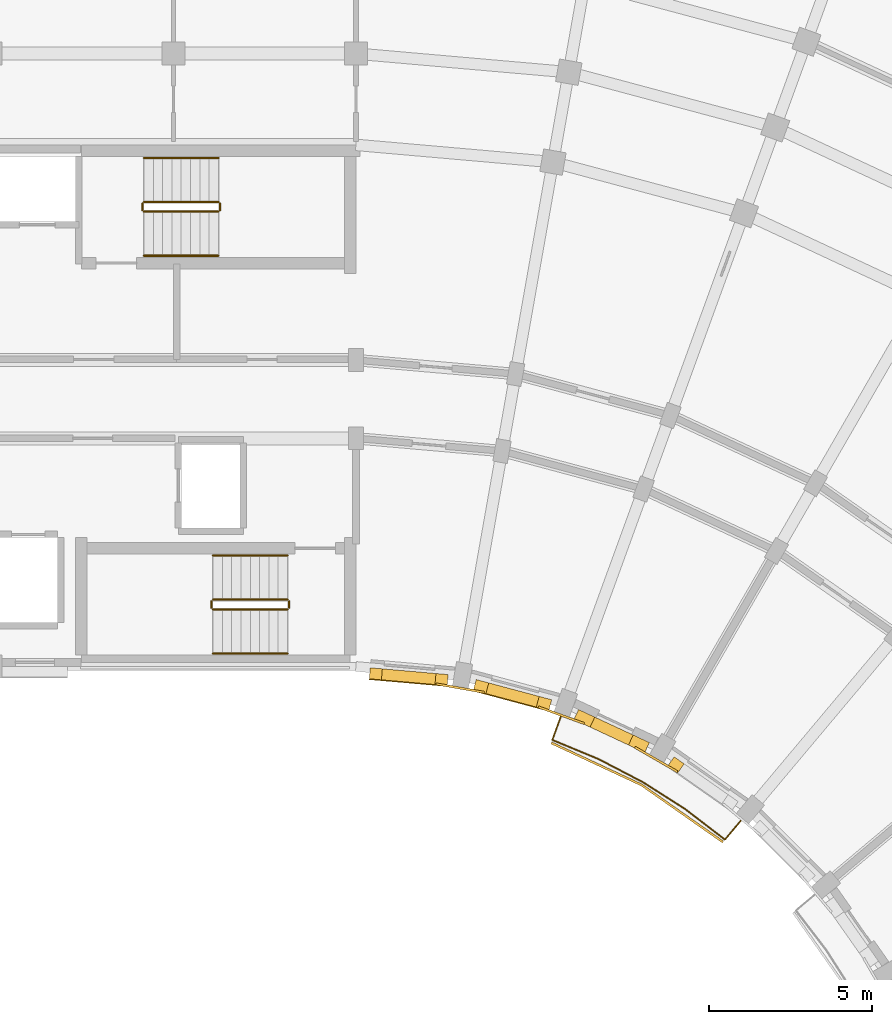
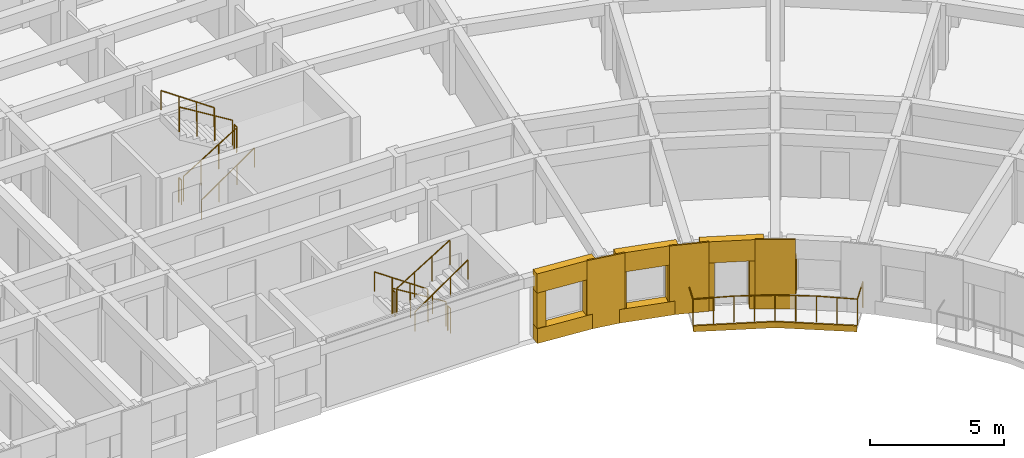
# One storey, part 52 of 57: 16 coverings, 13 railings.
"""IFC4 building model written with IfcOpenShell, lengths in metres."""

import ifcopenshell
import ifcopenshell.guid

model = None  # the IFC model being written
_history = None  # IfcOwnerHistory: only IFC2X3 demands one
_inside = {}  # id of a spatial element -> (the spatial element, [elements in it])
_under = {}  # id of a project, library or spatial element -> (it, [spatial elements below it])
_declared = {}  # id of a project -> (the project, [libraries it declares])
_typed = {}  # id of a type object -> (the type object, [elements of that type])
_made_of = {}  # id of a material, layer set ... -> (it, [elements and type objects made of it])


def new_model(schema):
    """Start an empty IFC model of exactly this schema.

    Asked for "IFC4X3", IfcOpenShell would pick the latest addendum, in which some entities
    have other attributes; the version numbers below select the first issue.
    IFC2X3 requires an IfcOwnerHistory on every rooted entity: one is made here for all.
    """
    global model, _history
    if schema == "IFC4X3":
        model = ifcopenshell.file(schema_version=(4, 3, 0, 0))
    else:
        model = ifcopenshell.file(schema=schema)
    _inside.clear()
    _under.clear()
    _declared.clear()
    _typed.clear()
    _made_of.clear()
    _history = None
    if model.schema == "IFC2X3":
        org = make("IfcOrganization", Name="unknown")
        user = make(
            "IfcPersonAndOrganization",
            ThePerson=make("IfcPerson", FamilyName="unknown"),
            TheOrganization=org,
        )
        app = make(
            "IfcApplication",
            ApplicationDeveloper=org,
            Version="unknown",
            ApplicationFullName="unknown",
            ApplicationIdentifier="unknown",
        )
        _history = make(
            "IfcOwnerHistory",
            OwningUser=user,
            OwningApplication=app,
            ChangeAction="ADDED",
            CreationDate=0,
        )
    return model


def make(cls, **values):
    """One entity of the class cls with the attributes given. An attribute that is None is left unset."""
    return model.create_entity(
        cls, **{name: value for name, value in values.items() if value is not None}
    )


def rooted(cls, **values):
    """An entity with a GlobalId (a new one), such as an element, a storey or a relation."""
    return make(cls, GlobalId=ifcopenshell.guid.new(), OwnerHistory=_history, **values)


def si_unit(unit_type, name, prefix=None):
    """IfcSIUnit, for example si_unit("LENGTHUNIT", "METRE", prefix="MILLI")."""
    return make("IfcSIUnit", UnitType=unit_type, Prefix=prefix, Name=name)


def assignment(units):
    """IfcUnitAssignment: the units of a project."""
    return None if units is None else make("IfcUnitAssignment", Units=units)


def point(xyz):
    """IfcCartesianPoint."""
    return None if xyz is None else make("IfcCartesianPoint", Coordinates=xyz)


def direction(xyz):
    """IfcDirection."""
    return None if xyz is None else make("IfcDirection", DirectionRatios=xyz)


def frame(location, z_axis=None, x_axis=None):
    """IfcAxis2Placement3D, a coordinate frame: its origin and axes. An axis left out is left unset."""
    return make(
        "IfcAxis2Placement3D",
        Location=point(location),
        Axis=direction(z_axis),
        RefDirection=direction(x_axis),
    )


def frame_2d(location, x_axis=None):
    """IfcAxis2Placement2D, a coordinate frame in the plane: its origin and x axis."""
    return make(
        "IfcAxis2Placement2D", Location=point(location), RefDirection=direction(x_axis)
    )


def origin():
    """The frame at (0, 0, 0) with its axes left unset."""
    return frame((0.0, 0.0, 0.0))


def origin_2d():
    """The frame at (0, 0) in the plane with its x axis left unset."""
    return frame_2d((0.0, 0.0))


def place(relative_to, where):
    """IfcLocalPlacement: puts the frame where relative to a parent placement (None: the world)."""
    return make(
        "IfcLocalPlacement", PlacementRelTo=relative_to, RelativePlacement=where
    )


def context(
    kind, dimensions, precision=None, world=None, true_north=None, identifier=None
):
    """IfcGeometricRepresentationContext, for example the 3D "Model" context."""
    return make(
        "IfcGeometricRepresentationContext",
        ContextIdentifier=identifier,
        ContextType=kind,
        CoordinateSpaceDimension=dimensions,
        Precision=precision,
        WorldCoordinateSystem=world,
        TrueNorth=true_north,
    )


def subcontext(parent, identifier, kind, view, scale=None):
    """IfcGeometricRepresentationSubContext, for example "Body" below "Model"."""
    return make(
        "IfcGeometricRepresentationSubContext",
        ContextIdentifier=identifier,
        ContextType=kind,
        ParentContext=parent,
        TargetScale=scale,
        TargetView=view,
    )


def project(units=None, contexts=None):
    """IfcProject with its units and contexts."""
    return rooted(
        "IfcProject",
        Name="project",
        RepresentationContexts=contexts,
        UnitsInContext=assignment(units),
    )


def spatial(cls, under=None, at=None, **own):
    """A site, building, storey or space (cls), placed at a placement, below another one or the project."""
    s = rooted(cls, ObjectPlacement=at, **own)
    if under is not None:
        _under.setdefault(under.id(), (under, []))[1].append(s)
    return s


def polyline(points):
    """IfcPolyline through the points."""
    return make("IfcPolyline", Points=[point(p) for p in points])


def profile(cls, at=None, kind="AREA", **sizes):
    """A parametric profile (cls). Its sizes go by their IFC names, for example OverallWidth=200.0."""
    return make(cls, ProfileType=kind, Position=at, **sizes)


def circle(**sizes):
    """IfcCircleProfileDef."""
    return profile("IfcCircleProfileDef", **sizes)


def outline(outer, holes=None, kind="AREA"):
    """IfcArbitraryClosedProfileDef: a profile drawn as a closed curve; with holes, ...WithVoids."""
    if holes is None:
        return make("IfcArbitraryClosedProfileDef", ProfileType=kind, OuterCurve=outer)
    return make(
        "IfcArbitraryProfileDefWithVoids",
        ProfileType=kind,
        OuterCurve=outer,
        InnerCurves=holes,
    )


def extrude(swept, where, along, depth):
    """IfcExtrudedAreaSolid: the profile swept, set in the frame where, extruded along a direction by depth."""
    return make(
        "IfcExtrudedAreaSolid",
        SweptArea=swept,
        Position=where,
        ExtrudedDirection=direction(along),
        Depth=depth,
    )


def shape(context_of_items, identifier, shape_type, items):
    """IfcShapeRepresentation: the items that make up one representation, for example the "Body"."""
    return make(
        "IfcShapeRepresentation",
        ContextOfItems=context_of_items,
        RepresentationIdentifier=identifier,
        RepresentationType=shape_type,
        Items=items,
    )


def material(Name=None, Category=None):
    """IfcMaterial."""
    return make("IfcMaterial", Name=Name, Category=Category)


def layer(
    of_material, thickness, ventilated=None, Name=None, Category=None, Priority=None
):
    """IfcMaterialLayer: one layer of a wall or slab, of a material (None: an air gap)."""
    return make(
        "IfcMaterialLayer",
        Material=of_material,
        LayerThickness=thickness,
        IsVentilated=ventilated,
        Name=Name,
        Category=Category,
        Priority=Priority,
    )


def layer_set(layers, Name=None):
    """IfcMaterialLayerSet."""
    return make("IfcMaterialLayerSet", MaterialLayers=layers, LayerSetName=Name)


def made_of(thing, what):
    """Note that an element or type object is made of a material, layer set ...; save() writes the relation."""
    if what is not None:
        _made_of.setdefault(what.id(), (what, []))[1].append(thing)
    return thing


def type_object(cls, material=None, **own):
    """A type object (cls), such as IfcWallType, which elements share."""
    return made_of(rooted(cls, **own), material)


def element(
    cls,
    number,
    at=None,
    inside=None,
    cuts=None,
    type_object=None,
    material=None,
    context=None,
    identifier="Body",
    shape_type=None,
    held_by="IfcProductDefinitionShape",
    body=None,
    shapes=None,
    **own,
):
    """One element of the class cls, such as IfcWall. Its Tag is "e" and its number.

    at: its placement. inside: the storey or other place that contains it. cuts: it is an
    opening in that element (IfcRelVoidsElement). A single representation is given by context,
    identifier, shape_type and body (its items); several are given by shapes. held_by: the class
    of the entity that holds the representations. save() writes the other relations.
    """
    e = rooted(cls, Tag="e%d" % number, ObjectPlacement=at, **own)
    if body is not None:
        shapes = [shape(context, identifier, shape_type, body)]
    if shapes is not None:
        e.Representation = make(held_by, Representations=shapes)
    if inside is not None:
        _inside.setdefault(inside.id(), (inside, []))[1].append(e)
    if cuts is not None:
        rooted(
            "IfcRelVoidsElement", RelatingBuildingElement=cuts, RelatedOpeningElement=e
        )
    if type_object is not None:
        _typed.setdefault(type_object.id(), (type_object, []))[1].append(e)
    return made_of(e, material)


def aggregate(whole, parts):
    """IfcRelAggregates: a whole, such as a stair, and the parts it consists of."""
    return rooted("IfcRelAggregates", RelatingObject=whole, RelatedObjects=parts)


def save(model, path):
    """Write the relations noted so far, then the file.

    IfcRelAggregates (storeys below a building ...), IfcRelContainedInSpatialStructure (elements
    in a storey), IfcRelDefinesByType, IfcRelAssociatesMaterial and IfcRelDeclares: one each for
    every whole, place, type object, material and project.
    """
    for whole, parts in _under.values():
        aggregate(whole, parts)
    for where, things in _inside.values():
        rooted(
            "IfcRelContainedInSpatialStructure",
            RelatedElements=things,
            RelatingStructure=where,
        )
    for kind, things in _typed.values():
        rooted("IfcRelDefinesByType", RelatedObjects=things, RelatingType=kind)
    for what, things in _made_of.values():
        rooted("IfcRelAssociatesMaterial", RelatedObjects=things, RelatingMaterial=what)
    for by, libraries in _declared.values():
        rooted("IfcRelDeclares", RelatingContext=by, RelatedDefinitions=libraries)
    model.write(path)


model = new_model("IFC4")

# Units and contexts
model_context = context("Model", 3, precision=1e-05, world=origin(), true_north=direction((0.0, 1.0)))
body_context = subcontext(model_context, "Body", "Model", "MODEL_VIEW")
ifc_project = project(units=[si_unit("LENGTHUNIT", "METRE"), si_unit("AREAUNIT", "SQUARE_METRE"), si_unit("VOLUMEUNIT", "CUBIC_METRE"), si_unit("PLANEANGLEUNIT", "RADIAN"), si_unit("MASSUNIT", "GRAM", prefix="KILO")], contexts=[model_context])

# Site, building, storey
site_placement = place(None, origin())
site = spatial("IfcSite", under=ifc_project, at=site_placement, CompositionType="ELEMENT")
building_placement = place(site_placement, origin())
building = spatial("IfcBuilding", under=site, at=building_placement, Name="Kiranvali Square Residences", CompositionType="ELEMENT")
storey_placement = place(building_placement, frame((0.0, 0.0, 21.300048828125)))
storey = spatial("IfcBuildingStorey", under=building, at=storey_placement, Name="L06", CompositionType="ELEMENT", Elevation=21.300048828125)

# Coverings
ifc_material_1 = material(Name="Carved Porbandar limestone classical entablature and cornice", Category="masonry")
ifc_layer_1 = layer(ifc_material_1, 0.06201171875)
ifc_layer_set_1 = layer_set([ifc_layer_1], Name="Carved Porbandar limestone classical entablature and cornice")
covering_type_1 = type_object("IfcCoveringType", Name="COV-CLAD-GBAL", PredefinedType="CLADDING", material=ifc_layer_set_1)
covering_1_placement = place(storey_placement, frame((0.0, 0.0, -0.219970703125)))
element("IfcCovering", 1, at=covering_1_placement, inside=storey, type_object=covering_type_1, Name="Block B L06 garden balcony limestone fascia 1", PredefinedType="CLADDING", context=body_context, shape_type="SweptSolid", body=[
    extrude(outline(polyline([(125.778564453125, 104.225830078125), (128.5400390625, 102.938232421875), (131.035888671875, 101.1904296875), (131.07958984375, 101.242431640625), (128.573974609375, 102.9970703125), (125.8017578125, 104.289794921875), (125.778564453125, 104.225830078125)])), origin(), (0.0, 0.0, 1.0), 0.27001953125),
])
ifc_material_2 = material(Name="Honed Porbandar limestone ashlar facade cladding", Category="masonry")
ifc_layer_2 = layer(ifc_material_2, 0.3798828125)
ifc_layer_set_2 = layer_set([ifc_layer_2], Name="Honed Porbandar limestone ashlar facade cladding")
covering_type_2 = type_object("IfcCoveringType", Name="COV-CLAD-JAMB", PredefinedType="CLADDING", material=ifc_layer_set_2)
covering_2_placement = place(storey_placement, frame((0.0, 0.0, 0.671875)))
element("IfcCovering", 2, at=covering_2_placement, inside=storey, type_object=covering_type_2, Name="L06 deep limestone window jamb reveal B-L06-GDN-00.L", PredefinedType="CLADDING", context=body_context, shape_type="SweptSolid", body=[
    extrude(outline(polyline([(120.208740234375, 106.222900390625), (120.580810546875, 106.1904296875), (120.6103515625, 106.528564453125), (120.23828125, 106.56103515625), (120.208740234375, 106.222900390625)])), origin(), (0.0, 0.0, 1.0), 1.60009765625),
])
covering_3_placement = place(storey_placement, frame((0.0, 0.0, 0.671875)))
element("IfcCovering", 3, at=covering_3_placement, inside=storey, type_object=covering_type_2, Name="L06 deep limestone window jamb reveal B-L06-GDN-00.R", PredefinedType="CLADDING", context=body_context, shape_type="SweptSolid", body=[
    extrude(outline(polyline([(122.224609375, 106.046630859375), (122.5966796875, 106.013916015625), (122.626220703125, 106.352294921875), (122.254150390625, 106.384765625), (122.224609375, 106.046630859375)])), origin(), (0.0, 0.0, 1.0), 1.60009765625),
])
covering_4_placement = place(storey_placement, frame((0.0, 0.0, 0.6220703125)))
element("IfcCovering", 4, at=covering_4_placement, inside=storey, type_object=covering_type_2, Name="L06 deep limestone window jamb reveal B-L06-GDN-01.L", PredefinedType="CLADDING", context=body_context, shape_type="SweptSolid", body=[
    extrude(outline(polyline([(123.401611328125, 105.8720703125), (123.78662109375, 105.76904296875), (123.87451171875, 106.096923828125), (123.489501953125, 106.199951171875), (123.401611328125, 105.8720703125)])), origin(), (0.0, 0.0, 1.0), 1.64990234375),
])
covering_5_placement = place(storey_placement, frame((0.0, 0.0, 0.6220703125)))
element("IfcCovering", 5, at=covering_5_placement, inside=storey, type_object=covering_type_2, Name="L06 deep limestone window jamb reveal B-L06-GDN-01.R", PredefinedType="CLADDING", context=body_context, shape_type="SweptSolid", body=[
    extrude(outline(polyline([(125.33203125, 105.354736328125), (125.717041015625, 105.251708984375), (125.804931640625, 105.57958984375), (125.419921875, 105.682861328125), (125.33203125, 105.354736328125)])), origin(), (0.0, 0.0, 1.0), 1.64990234375),
])
covering_6_placement = place(storey_placement, origin())
element("IfcCovering", 6, at=covering_6_placement, inside=storey, type_object=covering_type_2, Name="L06 deep limestone window jamb reveal B-L06-GDN-02.L", PredefinedType="CLADDING", context=body_context, shape_type="SweptSolid", body=[
    extrude(outline(polyline([(126.485107421875, 104.97216796875), (126.982177734375, 104.740234375), (127.125732421875, 105.048095703125), (126.62841796875, 105.27978515625), (126.485107421875, 104.97216796875)])), origin(), (0.0, 0.0, 1.0), 2.179931640625),
])
covering_7_placement = place(storey_placement, origin())
element("IfcCovering", 7, at=covering_7_placement, inside=storey, type_object=covering_type_2, Name="L06 deep limestone window jamb reveal B-L06-GDN-02.R", PredefinedType="CLADDING", context=body_context, shape_type="SweptSolid", body=[
    extrude(outline(polyline([(128.160400390625, 104.19091796875), (128.657470703125, 103.958984375), (128.801025390625, 104.266845703125), (128.303955078125, 104.49853515625), (128.160400390625, 104.19091796875)])), origin(), (0.0, 0.0, 1.0), 2.179931640625),
])
covering_8_placement = place(storey_placement, frame((0.0, 0.0, 0.671875)))
element("IfcCovering", 8, at=covering_8_placement, inside=storey, type_object=covering_type_2, Name="L06 deep limestone window jamb reveal B-L06-GDN-03.L", PredefinedType="CLADDING", context=body_context, shape_type="SweptSolid", body=[
    extrude(outline(polyline([(129.365478515625, 103.55029296875), (129.67138671875, 103.336181640625), (129.8662109375, 103.6142578125), (129.56005859375, 103.828369140625), (129.365478515625, 103.55029296875)])), origin(), (0.0, 0.0, 1.0), 1.60009765625),
])
ifc_layer_3 = layer(ifc_material_2, 0.050048828125)
ifc_layer_set_3 = layer_set([ifc_layer_3], Name="Honed Porbandar limestone ashlar facade cladding")
covering_type_3 = type_object("IfcCoveringType", Name="COV-CLAD-PIER-IN", PredefinedType="CLADDING", material=ifc_layer_set_3)
covering_9_placement = place(storey_placement, frame((0.0, 0.0, 0.0048828125)))
element("IfcCovering", 9, at=covering_9_placement, inside=storey, type_object=covering_type_3, Name="L06 Classical garden courtyard pilaster CLAD-PRIN-B-L06-A01", PredefinedType="CLADDING", context=body_context, shape_type="SweptSolid", body=[
    extrude(outline(polyline([(122.25341796875, 106.032958984375), (123.730712890625, 105.7724609375), (123.742431640625, 105.8388671875), (122.26513671875, 106.099365234375), (122.25341796875, 106.032958984375)])), origin(), (0.0, 0.0, 1.0), 3.14013671875),
])
covering_10_placement = place(storey_placement, frame((0.0, 0.0, 0.0048828125)))
element("IfcCovering", 10, at=covering_10_placement, inside=storey, type_object=covering_type_3, Name="L06 Classical garden courtyard pilaster CLAD-PRIN-B-L06-A02", PredefinedType="CLADDING", context=body_context, shape_type="SweptSolid", body=[
    extrude(outline(polyline([(125.38232421875, 105.329833984375), (126.791748046875, 104.81689453125), (126.81494140625, 104.88037109375), (125.4052734375, 105.393310546875), (125.38232421875, 105.329833984375)])), origin(), (0.0, 0.0, 1.0), 3.14013671875),
])
covering_11_placement = place(storey_placement, frame((0.0, 0.0, 0.0048828125)))
element("IfcCovering", 11, at=covering_11_placement, inside=storey, type_object=covering_type_3, Name="L06 Classical garden courtyard pilaster CLAD-PRIN-B-L06-A03", PredefinedType="CLADDING", context=body_context, shape_type="SweptSolid", body=[
    extrude(outline(polyline([(128.341552734375, 104.09423828125), (129.640625, 103.34423828125), (129.67431640625, 103.40283203125), (128.375244140625, 104.15283203125), (128.341552734375, 104.09423828125)])), origin(), (0.0, 0.0, 1.0), 3.14013671875),
])
ifc_layer_4 = layer(ifc_material_2, 0.360107421875)
ifc_layer_set_4 = layer_set([ifc_layer_4], Name="Honed Porbandar limestone ashlar facade cladding")
covering_type_4 = type_object("IfcCoveringType", Name="COV-CLAD-WALL", PredefinedType="CLADDING", material=ifc_layer_set_4)
covering_12_placement = place(storey_placement, frame((0.0, 0.0, 2.27197265625)))
element("IfcCovering", 12, at=covering_12_placement, inside=storey, type_object=covering_type_4, Name="L06 light limestone spandrel lintel B-L06-GDN-00", PredefinedType="CLADDING", context=body_context, shape_type="SweptSolid", body=[
    extrude(outline(polyline([(120.208740234375, 106.222900390625), (122.5966796875, 106.013916015625), (122.626220703125, 106.352294921875), (120.23828125, 106.56103515625), (120.208740234375, 106.222900390625)])), origin(), (0.0, 0.0, 1.0), 0.873046875),
])
covering_13_placement = place(storey_placement, frame((0.0, 0.0, 2.27197265625)))
element("IfcCovering", 13, at=covering_13_placement, inside=storey, type_object=covering_type_4, Name="L06 light limestone spandrel lintel B-L06-GDN-01", PredefinedType="CLADDING", context=body_context, shape_type="SweptSolid", body=[
    extrude(outline(polyline([(123.401611328125, 105.8720703125), (125.717041015625, 105.251708984375), (125.804931640625, 105.57958984375), (123.489501953125, 106.199951171875), (123.401611328125, 105.8720703125)])), origin(), (0.0, 0.0, 1.0), 0.873046875),
])
covering_14_placement = place(storey_placement, frame((0.0, 0.0, 2.179931640625)))
element("IfcCovering", 14, at=covering_14_placement, inside=storey, type_object=covering_type_4, Name="L06 light limestone spandrel lintel B-L06-GDN-02", PredefinedType="CLADDING", context=body_context, shape_type="SweptSolid", body=[
    extrude(outline(polyline([(126.485107421875, 104.97216796875), (128.657470703125, 103.958984375), (128.801025390625, 104.266845703125), (126.62841796875, 105.27978515625), (126.485107421875, 104.97216796875)])), origin(), (0.0, 0.0, 1.0), 0.965087890625),
])
ifc_layer_5 = layer(ifc_material_2, 0.2900390625)
ifc_layer_set_5 = layer_set([ifc_layer_5], Name="Honed Porbandar limestone ashlar facade cladding")
covering_type_5 = type_object("IfcCoveringType", Name="COV-CLAD-WALL-IN", PredefinedType="CLADDING", material=ifc_layer_set_5)
covering_15_placement = place(storey_placement, frame((0.0, 0.0, 0.0048828125)))
element("IfcCovering", 15, at=covering_15_placement, inside=storey, type_object=covering_type_5, Name="L06 limestone window sill apron B-L06-GDN-00", PredefinedType="CLADDING", context=body_context, shape_type="SweptSolid", body=[
    extrude(outline(polyline([(120.2060546875, 106.193115234375), (122.593994140625, 105.984130859375), (122.626220703125, 106.352294921875), (120.23828125, 106.56103515625), (120.2060546875, 106.193115234375)])), origin(), (0.0, 0.0, 1.0), 0.6669921875),
])
covering_16_placement = place(storey_placement, frame((0.0, 0.0, 0.0048828125)))
element("IfcCovering", 16, at=covering_16_placement, inside=storey, type_object=covering_type_5, Name="L06 limestone window sill apron B-L06-GDN-01", PredefinedType="CLADDING", context=body_context, shape_type="SweptSolid", body=[
    extrude(outline(polyline([(123.393798828125, 105.843017578125), (125.709228515625, 105.22265625), (125.804931640625, 105.57958984375), (123.489501953125, 106.199951171875), (123.393798828125, 105.843017578125)])), origin(), (0.0, 0.0, 1.0), 0.6171875),
])

# Railings
ifc_material_3 = material(Name="Powder-coated architectural bronze balustrade", Category="steel")
railing_type_1 = type_object("IfcRailingType", Name="RL-BAL-GOLD-1200", PredefinedType="BALUSTRADE", material=ifc_material_3)
railing_1_placement = place(storey_placement, frame((126.21630859375, 105.4287109375, 0.0)))
element("IfcRailing", 17, at=railing_1_placement, inside=storey, type_object=railing_type_1, Name="Block B L06 garden balcony gold balustrade 1", PredefinedType="BALUSTRADE", context=body_context, shape_type="SweptSolid", body=[
    extrude(circle(Radius=0.02392578125, at=origin_2d()), frame((0.0, 0.0, 1.17578125), z_axis=(-0.341964618562, -0.939712828289, 0.0), x_axis=(0.939712828289, -0.341964618562, 0.0)), (0.0, 0.0, 1.0), 1.150146484375),
    extrude(circle(Radius=0.02392578125, at=origin_2d()), frame((-0.393310546875, -1.080810546875, 1.17578125), z_axis=(0.923892883829, -0.382651197843, 0.0), x_axis=(0.382651197843, 0.923892883829, 0.0)), (0.0, 0.0, 1.0), 1.536376953125),
    extrude(circle(Radius=0.02392578125, at=origin_2d()), frame((1.026123046875, -1.668701171875, 1.17578125), z_axis=(0.887029366154, -0.461713009976, 0.0), x_axis=(0.461713009976, 0.887029366154, 0.0)), (0.0, 0.0, 1.0), 1.5361328125),
    extrude(circle(Radius=0.02392578125, at=origin_2d()), frame((2.388671875, -2.3779296875, 1.17578125), z_axis=(0.843386539688, -0.537307309343, 0.0), x_axis=(0.537307309343, 0.843386539688, 0.0)), (0.0, 0.0, 1.0), 1.5361328125),
    extrude(circle(Radius=0.02392578125, at=origin_2d()), frame((3.684326171875, -3.203369140625, 1.17578125), z_axis=(0.793314680996, -0.608811807471, 0.0), x_axis=(0.608811807471, 0.793314680996, 0.0)), (0.0, 0.0, 1.0), 1.536376953125),
    extrude(circle(Radius=0.02392578125, at=origin_2d()), frame((4.903076171875, -4.138671875, 1.17578125), z_axis=(0.642853454051, 0.765989188314, 0.0), x_axis=(-0.765989188314, 0.642853454051, 0.0)), (0.0, 0.0, 1.0), 1.14990234375),
    extrude(circle(Radius=0.02099609375, at=origin_2d()), origin(), (0.0, 0.0, 1.0), 1.15185546875),
    extrude(circle(Radius=0.02099609375, at=origin_2d()), frame((-0.393310546875, -1.080810546875, 0.0)), (0.0, 0.0, 1.0), 1.15185546875),
    extrude(circle(Radius=0.02099609375, at=origin_2d()), frame((0.31640625, -1.374755859375, 0.0)), (0.0, 0.0, 1.0), 1.15185546875),
    extrude(circle(Radius=0.02099609375, at=origin_2d()), frame((1.026123046875, -1.668701171875, 0.0)), (0.0, 0.0, 1.0), 1.15185546875),
    extrude(circle(Radius=0.02099609375, at=origin_2d()), frame((1.70751953125, -2.0234375, 0.0)), (0.0, 0.0, 1.0), 1.15185546875),
    extrude(circle(Radius=0.02099609375, at=origin_2d()), frame((2.388671875, -2.3779296875, 0.0)), (0.0, 0.0, 1.0), 1.15185546875),
    extrude(circle(Radius=0.02099609375, at=origin_2d()), frame((3.03662109375, -2.79052734375, 0.0)), (0.0, 0.0, 1.0), 1.15185546875),
    extrude(circle(Radius=0.02099609375, at=origin_2d()), frame((3.684326171875, -3.203369140625, 0.0)), (0.0, 0.0, 1.0), 1.15185546875),
    extrude(circle(Radius=0.02099609375, at=origin_2d()), frame((4.293701171875, -3.6708984375, 0.0)), (0.0, 0.0, 1.0), 1.15185546875),
    extrude(circle(Radius=0.02099609375, at=origin_2d()), frame((4.903076171875, -4.138671875, 0.0)), (0.0, 0.0, 1.0), 1.15185546875),
    extrude(circle(Radius=0.02099609375, at=origin_2d()), frame((5.642333984375, -3.2578125, 0.0)), (0.0, 0.0, 1.0), 1.15185546875),
])
ifc_material_4 = material(Name="Brushed stainless steel tubular handrail", Category="steel")
railing_type_2 = type_object("IfcRailingType", Name="RL-HANDRAIL-900", PredefinedType="HANDRAIL", material=ifc_material_4)
railing_2_placement = place(storey_placement, frame((113.300048828125, 119.199951171875, 0.175048828125)))
element("IfcRailing", 18, at=railing_2_placement, inside=storey, type_object=railing_type_2, Name="L06 ST-B1 stair handrail 1", PredefinedType="HANDRAIL", context=body_context, shape_type="SweptSolid", body=[
    extrude(circle(Radius=0.02392578125, at=origin_2d()), frame((0.0, 0.0, 0.8759765625), z_axis=(0.82278801735, 0.0, 0.568348377763), x_axis=(0.0, 1.0, 0.0)), (0.0, 0.0, 1.0), 2.77099609375),
    extrude(circle(Radius=0.02099609375, at=origin_2d()), origin(), (0.0, 0.0, 1.0), 0.851806640625),
    extrude(circle(Radius=0.02099609375, at=origin_2d()), frame((0.760009765625, 0.0, 0.52490234375)), (0.0, 0.0, 1.0), 0.851806640625),
    extrude(circle(Radius=0.02099609375, at=origin_2d()), frame((1.52001953125, 0.0, 1.050048828125)), (0.0, 0.0, 1.0), 0.851806640625),
    extrude(circle(Radius=0.02099609375, at=origin_2d()), frame((2.280029296875, 0.0, 1.574951171875)), (0.0, 0.0, 1.0), 0.851806640625),
])
for number, where, name in (
    (19, (115.580078125, 122.199951171875, 1.75), "L06 ST-B1 stair handrail 2"),
    (20, (117.699951171875, 110.0, 0.175048828125), "L06 ST-B2 stair handrail 1"),
):
    element("IfcRailing", number, at=place(storey_placement, frame(where)), inside=storey, type_object=railing_type_2, Name=name, PredefinedType="HANDRAIL", context=body_context, shape_type="SweptSolid", body=[
        extrude(circle(Radius=0.02392578125, at=origin_2d()), frame((0.0, 0.0, 0.8759765625), z_axis=(-0.82278801735, 0.0, 0.568348377763), x_axis=(0.0, -1.0, 0.0)), (0.0, 0.0, 1.0), 2.77099609375),
        extrude(circle(Radius=0.02099609375, at=origin_2d()), origin(), (0.0, 0.0, 1.0), 0.851806640625),
        extrude(circle(Radius=0.02099609375, at=origin_2d()), frame((-0.760009765625, 0.0, 0.52490234375)), (0.0, 0.0, 1.0), 0.851806640625),
        extrude(circle(Radius=0.02099609375, at=origin_2d()), frame((-1.52001953125, 0.0, 1.050048828125)), (0.0, 0.0, 1.0), 0.851806640625),
        extrude(circle(Radius=0.02099609375, at=origin_2d()), frame((-2.280029296875, 0.0, 1.574951171875)), (0.0, 0.0, 1.0), 0.851806640625),
    ])
railing_3_placement = place(storey_placement, frame((115.419921875, 107.0, 1.75)))
element("IfcRailing", 21, at=railing_3_placement, inside=storey, type_object=railing_type_2, Name="L06 ST-B2 stair handrail 2", PredefinedType="HANDRAIL", context=body_context, shape_type="SweptSolid", body=[
    extrude(circle(Radius=0.02392578125, at=origin_2d()), frame((0.0, 0.0, 0.8759765625), z_axis=(0.82278801735, 0.0, 0.568348377763), x_axis=(0.0, 1.0, 0.0)), (0.0, 0.0, 1.0), 2.77099609375),
    extrude(circle(Radius=0.02099609375, at=origin_2d()), origin(), (0.0, 0.0, 1.0), 0.851806640625),
    extrude(circle(Radius=0.02099609375, at=origin_2d()), frame((0.760009765625, 0.0, 0.52490234375)), (0.0, 0.0, 1.0), 0.851806640625),
    extrude(circle(Radius=0.02099609375, at=origin_2d()), frame((1.52001953125, 0.0, 1.050048828125)), (0.0, 0.0, 1.0), 0.851806640625),
    extrude(circle(Radius=0.02099609375, at=origin_2d()), frame((2.280029296875, 0.0, 1.574951171875)), (0.0, 0.0, 1.0), 0.851806640625),
])
railing_type_3 = type_object("IfcRailingType", Name="RL-ST-GUARD-1200", PredefinedType="GUARDRAIL", material=ifc_material_3)
railing_4_placement = place(storey_placement, frame((113.300048828125, 120.550048828125, 0.175048828125)))
element("IfcRailing", 22, at=railing_4_placement, inside=storey, type_object=railing_type_3, Name="L06 ST-B1 stair guard 1", PredefinedType="GUARDRAIL", context=body_context, shape_type="SweptSolid", body=[
    extrude(circle(Radius=0.02392578125, at=origin_2d()), frame((0.0, 0.0, 1.1259765625), z_axis=(0.852190499154, 0.0, 0.523231643875), x_axis=(0.0, 1.0, 0.0)), (0.0, 0.0, 1.0), 2.675537109375),
    extrude(circle(Radius=0.02099609375, at=origin_2d()), origin(), (0.0, 0.0, 1.0), 1.101806640625),
    extrude(circle(Radius=0.02099609375, at=origin_2d()), frame((0.760009765625, 0.0, 0.466552734375)), (0.0, 0.0, 1.0), 1.101806640625),
    extrude(circle(Radius=0.02099609375, at=origin_2d()), frame((1.52001953125, 0.0, 0.933349609375)), (0.0, 0.0, 1.0), 1.101806640625),
    extrude(circle(Radius=0.02099609375, at=origin_2d()), frame((2.280029296875, 0.0, 1.39990234375)), (0.0, 0.0, 1.0), 1.101806640625),
])
railing_5_placement = place(storey_placement, frame((115.6298828125, 120.60009765625, 1.574951171875)))
element("IfcRailing", 23, at=railing_5_placement, inside=storey, type_object=railing_type_3, Name="L06 ST-B1 stair guard 2", PredefinedType="GUARDRAIL", context=body_context, shape_type="SweptSolid", body=[
    extrude(circle(Radius=0.02392578125, at=origin_2d()), frame((0.0, 0.0, 1.1259765625), z_axis=(0.0, 1.0, 0.0), x_axis=(-1.0, 0.0, 0.0)), (0.0, 0.0, 1.0), 0.199951171875),
    extrude(circle(Radius=0.02099609375, at=origin_2d()), origin(), (0.0, 0.0, 1.0), 1.101806640625),
    extrude(circle(Radius=0.02099609375, at=origin_2d()), frame((0.0, 0.199951171875, 0.0)), (0.0, 0.0, 1.0), 1.101806640625),
])
railing_6_placement = place(storey_placement, frame((115.580078125, 120.85009765625, 1.75)))
element("IfcRailing", 24, at=railing_6_placement, inside=storey, type_object=railing_type_3, Name="L06 ST-B1 stair guard 3", PredefinedType="GUARDRAIL", context=body_context, shape_type="SweptSolid", body=[
    extrude(circle(Radius=0.02392578125, at=origin_2d()), frame((0.0, 0.0, 1.1259765625), z_axis=(-0.852190499154, 0.0, 0.523231643875), x_axis=(0.0, -1.0, 0.0)), (0.0, 0.0, 1.0), 2.675537109375),
    extrude(circle(Radius=0.02099609375, at=origin_2d()), origin(), (0.0, 0.0, 1.0), 1.101806640625),
    extrude(circle(Radius=0.02099609375, at=origin_2d()), frame((-0.760009765625, 0.0, 0.466552734375)), (0.0, 0.0, 1.0), 1.101806640625),
    extrude(circle(Radius=0.02099609375, at=origin_2d()), frame((-1.52001953125, 0.0, 0.933349609375)), (0.0, 0.0, 1.0), 1.101806640625),
    extrude(circle(Radius=0.02099609375, at=origin_2d()), frame((-2.280029296875, 0.0, 1.39990234375)), (0.0, 0.0, 1.0), 1.101806640625),
])
railing_7_placement = place(storey_placement, frame((113.25, 120.60009765625, 0.0)))
element("IfcRailing", 25, at=railing_7_placement, inside=storey, type_object=railing_type_3, Name="L06 ST-B1 stair guard 4", PredefinedType="GUARDRAIL", context=body_context, shape_type="SweptSolid", body=[
    extrude(circle(Radius=0.02392578125, at=origin_2d()), frame((0.0, 0.0, 1.1259765625), z_axis=(0.0, 1.0, 0.0), x_axis=(-1.0, 0.0, 0.0)), (0.0, 0.0, 1.0), 0.199951171875),
    extrude(circle(Radius=0.02099609375, at=origin_2d()), origin(), (0.0, 0.0, 1.0), 1.101806640625),
    extrude(circle(Radius=0.02099609375, at=origin_2d()), frame((0.0, 0.199951171875, 0.0)), (0.0, 0.0, 1.0), 1.101806640625),
])
railing_8_placement = place(storey_placement, frame((117.699951171875, 108.64990234375, 0.175048828125)))
element("IfcRailing", 26, at=railing_8_placement, inside=storey, type_object=railing_type_3, Name="L06 ST-B2 stair guard 1", PredefinedType="GUARDRAIL", context=body_context, shape_type="SweptSolid", body=[
    extrude(circle(Radius=0.02392578125, at=origin_2d()), frame((0.0, 0.0, 1.1259765625), z_axis=(-0.852190499154, 0.0, 0.523231643875), x_axis=(0.0, -1.0, 0.0)), (0.0, 0.0, 1.0), 2.675537109375),
    extrude(circle(Radius=0.02099609375, at=origin_2d()), origin(), (0.0, 0.0, 1.0), 1.101806640625),
    extrude(circle(Radius=0.02099609375, at=origin_2d()), frame((-0.760009765625, 0.0, 0.466552734375)), (0.0, 0.0, 1.0), 1.101806640625),
    extrude(circle(Radius=0.02099609375, at=origin_2d()), frame((-1.52001953125, 0.0, 0.933349609375)), (0.0, 0.0, 1.0), 1.101806640625),
    extrude(circle(Radius=0.02099609375, at=origin_2d()), frame((-2.280029296875, 0.0, 1.39990234375)), (0.0, 0.0, 1.0), 1.101806640625),
])
railing_9_placement = place(storey_placement, frame((115.3701171875, 108.60009765625, 1.574951171875)))
element("IfcRailing", 27, at=railing_9_placement, inside=storey, type_object=railing_type_3, Name="L06 ST-B2 stair guard 2", PredefinedType="GUARDRAIL", context=body_context, shape_type="SweptSolid", body=[
    extrude(circle(Radius=0.02392578125, at=origin_2d()), frame((0.0, 0.0, 1.1259765625), z_axis=(0.0, -1.0, 0.0), x_axis=(1.0, 0.0, 0.0)), (0.0, 0.0, 1.0), 0.2001953125),
    extrude(circle(Radius=0.02099609375, at=origin_2d()), origin(), (0.0, 0.0, 1.0), 1.101806640625),
    extrude(circle(Radius=0.02099609375, at=origin_2d()), frame((0.0, -0.2001953125, 0.0)), (0.0, 0.0, 1.0), 1.101806640625),
])
railing_10_placement = place(storey_placement, frame((115.419921875, 108.35009765625, 1.75)))
element("IfcRailing", 28, at=railing_10_placement, inside=storey, type_object=railing_type_3, Name="L06 ST-B2 stair guard 3", PredefinedType="GUARDRAIL", context=body_context, shape_type="SweptSolid", body=[
    extrude(circle(Radius=0.02392578125, at=origin_2d()), frame((0.0, 0.0, 1.1259765625), z_axis=(0.852190499154, 0.0, 0.523231643875), x_axis=(0.0, 1.0, 0.0)), (0.0, 0.0, 1.0), 2.675537109375),
    extrude(circle(Radius=0.02099609375, at=origin_2d()), origin(), (0.0, 0.0, 1.0), 1.101806640625),
    extrude(circle(Radius=0.02099609375, at=origin_2d()), frame((0.760009765625, 0.0, 0.466552734375)), (0.0, 0.0, 1.0), 1.101806640625),
    extrude(circle(Radius=0.02099609375, at=origin_2d()), frame((1.52001953125, 0.0, 0.933349609375)), (0.0, 0.0, 1.0), 1.101806640625),
    extrude(circle(Radius=0.02099609375, at=origin_2d()), frame((2.280029296875, 0.0, 1.39990234375)), (0.0, 0.0, 1.0), 1.101806640625),
])
railing_11_placement = place(storey_placement, frame((117.75, 108.60009765625, 0.0)))
element("IfcRailing", 29, at=railing_11_placement, inside=storey, type_object=railing_type_3, Name="L06 ST-B2 stair guard 4", PredefinedType="GUARDRAIL", context=body_context, shape_type="SweptSolid", body=[
    extrude(circle(Radius=0.02392578125, at=origin_2d()), frame((0.0, 0.0, 1.1259765625), z_axis=(0.0, -1.0, 0.0), x_axis=(1.0, 0.0, 0.0)), (0.0, 0.0, 1.0), 0.2001953125),
    extrude(circle(Radius=0.02099609375, at=origin_2d()), origin(), (0.0, 0.0, 1.0), 1.101806640625),
    extrude(circle(Radius=0.02099609375, at=origin_2d()), frame((0.0, -0.2001953125, 0.0)), (0.0, 0.0, 1.0), 1.101806640625),
])

save(model, "model.ifc")
